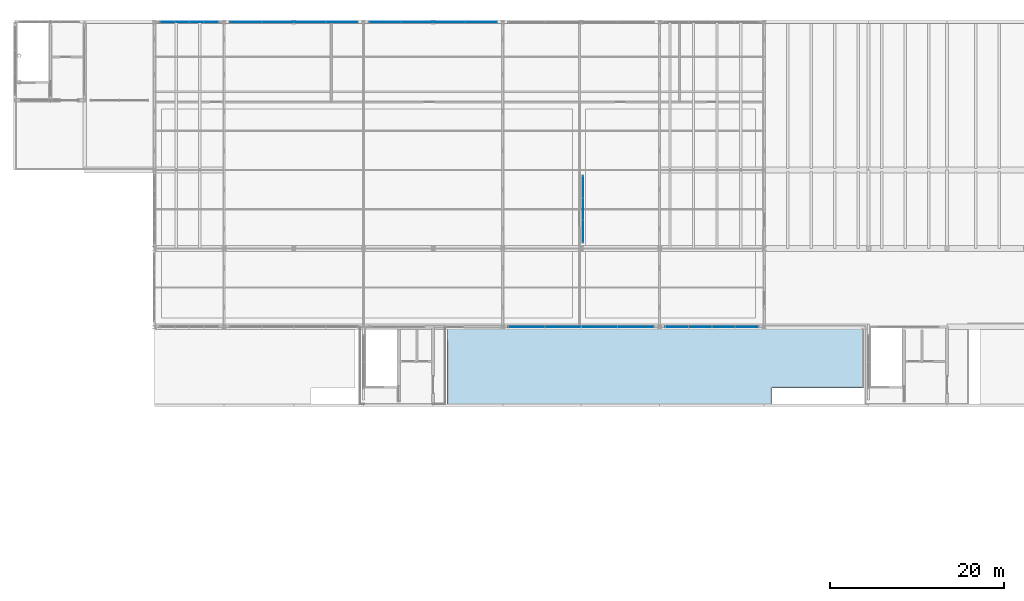
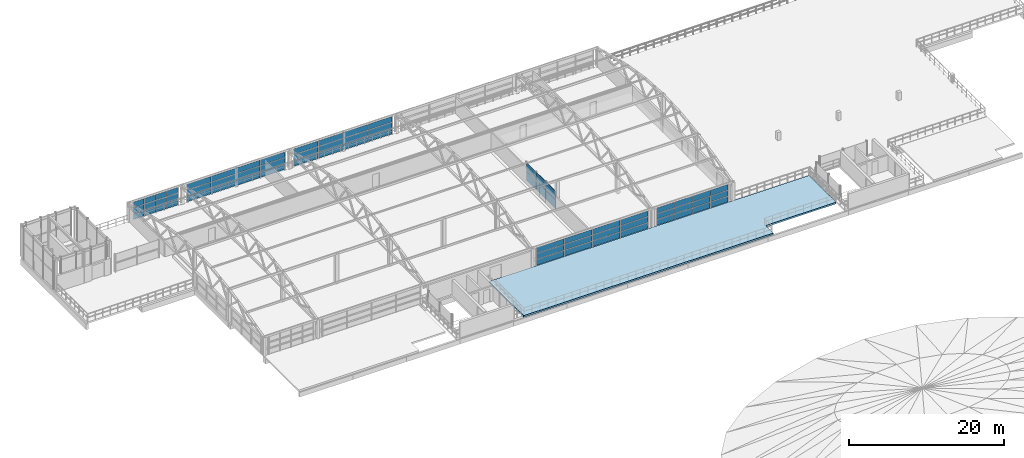
# One storey, part 28 of 50: 66 plates, 1 slab, 6 elements without a shape of their own.
"""IFC4 building model written with IfcOpenShell, lengths in metres."""

from ifc_helpers import new_model, si_unit, derived_unit, direction, frame, origin, origin_2d, place, context, subcontext, project, spatial, polyline, rectangle, outline, extrude, material, layer, layer_set, type_object, element, aggregate, save


model = new_model("IFC4")

# Units and contexts
model_context = context("Model", 3, precision=1e-05, world=origin(), true_north=direction((0.0, 1.0)))
body_context = subcontext(model_context, "Body", "Model", "MODEL_VIEW")
ifc_project = project(units=[si_unit("LENGTHUNIT", "METRE"), si_unit("AREAUNIT", "SQUARE_METRE"), si_unit("VOLUMEUNIT", "CUBIC_METRE"), si_unit("PLANEANGLEUNIT", "RADIAN"), si_unit("MASSUNIT", "GRAM", prefix="KILO"), si_unit("THERMODYNAMICTEMPERATUREUNIT", "KELVIN"), derived_unit("THERMALTRANSMITTANCEUNIT", [(si_unit("POWERUNIT", "WATT"), 1), (si_unit("AREAUNIT", "SQUARE_METRE"), -1), (si_unit("THERMODYNAMICTEMPERATUREUNIT", "KELVIN"), -1)])], contexts=[model_context])

# Site, building, storey
site_placement = place(None, origin())
site = spatial("IfcSite", under=ifc_project, at=site_placement, CompositionType="ELEMENT")
building_placement = place(site_placement, origin())
building = spatial("IfcBuilding", under=site, at=building_placement, Name="Haiyu Intermodal Mobility Hub", CompositionType="ELEMENT")
storey_placement = place(building_placement, frame((0.0, 0.0, 25.10009765625)))
storey = spatial("IfcBuildingStorey", under=building, at=storey_placement, Name="L06", CompositionType="ELEMENT", Elevation=25.10009765625)

# Curtain wall, plates
ifc_material_1 = material(Name="Low-e laminated insulating glass", Category="glass")
ifc_layer_1 = layer(ifc_material_1, 0.22998046875)
ifc_layer_set_1 = layer_set([ifc_layer_1], Name="Low-e laminated insulating glass")
curtain_wall_type_1 = type_object("IfcCurtainWallType", Name="CW-CW05", PredefinedType="NOTDEFINED", material=ifc_layer_set_1)
curtain_wall_1_placement = place(storey_placement, origin())
curtain_wall_1 = element("IfcCurtainWall", 1, at=curtain_wall_1_placement, inside=storey, type_object=curtain_wall_type_1, Name="Curtain Wall CW-V3N-156", PredefinedType="NOTDEFINED")
ifc_layer_2 = layer(ifc_material_1, 0.0400390625)
ifc_layer_set_2 = layer_set([ifc_layer_2], Name="Low-e laminated insulating glass")
plate_type_1 = type_object("IfcPlateType", Name="PLT-CP03", PredefinedType="CURTAIN_PANEL", material=ifc_layer_set_2)
plate_1_placement = place(storey_placement, frame((44.5048828125, 148.0, 0.034912109375), z_axis=(0.0, 0.0, 1.0), x_axis=(-1.0, 0.0, 0.0)))
plate_1 = element("IfcPlate", 2, at=plate_1_placement, type_object=plate_type_1, Name="CW-V3N-156-PN01", PredefinedType="CURTAIN_PANEL", context=body_context, shape_type="SweptSolid", body=[
    extrude(rectangle(XDim=1.580078125, YDim=0.0400390625, at=origin_2d()), origin(), (0.0, 0.0, 1.0), 0.8798828125),
])
plate_2_placement = place(storey_placement, frame((44.5048828125, 148.0, 0.98486328125), z_axis=(0.0, 0.0, 1.0), x_axis=(-1.0, 0.0, 0.0)))
plate_2 = element("IfcPlate", 3, at=plate_2_placement, type_object=plate_type_1, Name="CW-V3N-156-PN02", PredefinedType="CURTAIN_PANEL", context=body_context, shape_type="SweptSolid", body=[
    extrude(rectangle(XDim=1.580078125, YDim=0.0400390625, at=origin_2d()), origin(), (0.0, 0.0, 1.0), 0.8798828125),
])
plate_3_placement = place(storey_placement, frame((42.8349609375, 148.0, 0.034912109375), z_axis=(0.0, 0.0, 1.0), x_axis=(-1.0, 0.0, 0.0)))
plate_3 = element("IfcPlate", 4, at=plate_3_placement, type_object=plate_type_1, Name="CW-V3N-156-PN04", PredefinedType="CURTAIN_PANEL", context=body_context, shape_type="SweptSolid", body=[
    extrude(rectangle(XDim=1.580078125, YDim=0.0400390625, at=origin_2d()), origin(), (0.0, 0.0, 1.0), 0.8798828125),
])
plate_4_placement = place(storey_placement, frame((42.8349609375, 148.0, 0.98486328125), z_axis=(0.0, 0.0, 1.0), x_axis=(-1.0, 0.0, 0.0)))
plate_4 = element("IfcPlate", 5, at=plate_4_placement, type_object=plate_type_1, Name="CW-V3N-156-PN05", PredefinedType="CURTAIN_PANEL", context=body_context, shape_type="SweptSolid", body=[
    extrude(rectangle(XDim=1.580078125, YDim=0.0400390625, at=origin_2d()), origin(), (0.0, 0.0, 1.0), 0.8798828125),
])
plate_5_placement = place(storey_placement, frame((41.1650390625, 148.0, 0.034912109375), z_axis=(0.0, 0.0, 1.0), x_axis=(-1.0, 0.0, 0.0)))
plate_5 = element("IfcPlate", 6, at=plate_5_placement, type_object=plate_type_1, Name="CW-V3N-156-PN07", PredefinedType="CURTAIN_PANEL", context=body_context, shape_type="SweptSolid", body=[
    extrude(rectangle(XDim=1.580078125, YDim=0.0400390625, at=origin_2d()), origin(), (0.0, 0.0, 1.0), 0.8798828125),
])
plate_6_placement = place(storey_placement, frame((41.1650390625, 148.0, 0.98486328125), z_axis=(0.0, 0.0, 1.0), x_axis=(-1.0, 0.0, 0.0)))
plate_6 = element("IfcPlate", 7, at=plate_6_placement, type_object=plate_type_1, Name="CW-V3N-156-PN08", PredefinedType="CURTAIN_PANEL", context=body_context, shape_type="SweptSolid", body=[
    extrude(rectangle(XDim=1.580078125, YDim=0.0400390625, at=origin_2d()), origin(), (0.0, 0.0, 1.0), 0.8798828125),
])
plate_7_placement = place(storey_placement, frame((39.4951171875, 148.0, 0.034912109375), z_axis=(0.0, 0.0, 1.0), x_axis=(-1.0, 0.0, 0.0)))
plate_7 = element("IfcPlate", 8, at=plate_7_placement, type_object=plate_type_1, Name="CW-V3N-156-PN10", PredefinedType="CURTAIN_PANEL", context=body_context, shape_type="SweptSolid", body=[
    extrude(rectangle(XDim=1.580078125, YDim=0.0400390625, at=origin_2d()), origin(), (0.0, 0.0, 1.0), 0.8798828125),
])
plate_8_placement = place(storey_placement, frame((39.4951171875, 148.0, 0.98486328125), z_axis=(0.0, 0.0, 1.0), x_axis=(-1.0, 0.0, 0.0)))
plate_8 = element("IfcPlate", 9, at=plate_8_placement, type_object=plate_type_1, Name="CW-V3N-156-PN11", PredefinedType="CURTAIN_PANEL", context=body_context, shape_type="SweptSolid", body=[
    extrude(rectangle(XDim=1.580078125, YDim=0.0400390625, at=origin_2d()), origin(), (0.0, 0.0, 1.0), 0.8798828125),
])

curtain_wall_2_placement = place(storey_placement, origin())
curtain_wall_2 = element("IfcCurtainWall", 10, at=curtain_wall_2_placement, inside=storey, type_object=curtain_wall_type_1, Name="Curtain Wall CW-V3N-158", PredefinedType="NOTDEFINED")
plate_9_placement = place(storey_placement, frame((59.5048828125, 148.0, 0.034912109375), z_axis=(0.0, 0.0, 1.0), x_axis=(-1.0, 0.0, 0.0)))
plate_9 = element("IfcPlate", 11, at=plate_9_placement, type_object=plate_type_1, Name="CW-V3N-158-PN01", PredefinedType="CURTAIN_PANEL", context=body_context, shape_type="SweptSolid", body=[
    extrude(rectangle(XDim=3.580078125, YDim=0.0400390625, at=origin_2d()), origin(), (0.0, 0.0, 1.0), 0.8798828125),
])
plate_10_placement = place(storey_placement, frame((59.5048828125, 148.0, 0.98486328125), z_axis=(0.0, 0.0, 1.0), x_axis=(-1.0, 0.0, 0.0)))
plate_10 = element("IfcPlate", 12, at=plate_10_placement, type_object=plate_type_1, Name="CW-V3N-158-PN02", PredefinedType="CURTAIN_PANEL", context=body_context, shape_type="SweptSolid", body=[
    extrude(rectangle(XDim=3.580078125, YDim=0.0400390625, at=origin_2d()), origin(), (0.0, 0.0, 1.0), 0.8798828125),
])
plate_11_placement = place(storey_placement, frame((55.8349609375, 148.0, 0.034912109375), z_axis=(0.0, 0.0, 1.0), x_axis=(-1.0, 0.0, 0.0)))
plate_11 = element("IfcPlate", 13, at=plate_11_placement, type_object=plate_type_1, Name="CW-V3N-158-PN04", PredefinedType="CURTAIN_PANEL", context=body_context, shape_type="SweptSolid", body=[
    extrude(rectangle(XDim=3.580078125, YDim=0.0400390625, at=origin_2d()), origin(), (0.0, 0.0, 1.0), 0.8798828125),
])
plate_12_placement = place(storey_placement, frame((55.8349609375, 148.0, 0.98486328125), z_axis=(0.0, 0.0, 1.0), x_axis=(-1.0, 0.0, 0.0)))
plate_12 = element("IfcPlate", 14, at=plate_12_placement, type_object=plate_type_1, Name="CW-V3N-158-PN05", PredefinedType="CURTAIN_PANEL", context=body_context, shape_type="SweptSolid", body=[
    extrude(rectangle(XDim=3.580078125, YDim=0.0400390625, at=origin_2d()), origin(), (0.0, 0.0, 1.0), 0.8798828125),
])
plate_13_placement = place(storey_placement, frame((52.1650390625, 148.0, 0.034912109375), z_axis=(0.0, 0.0, 1.0), x_axis=(-1.0, 0.0, 0.0)))
plate_13 = element("IfcPlate", 15, at=plate_13_placement, type_object=plate_type_1, Name="CW-V3N-158-PN07", PredefinedType="CURTAIN_PANEL", context=body_context, shape_type="SweptSolid", body=[
    extrude(rectangle(XDim=3.580078125, YDim=0.0400390625, at=origin_2d()), origin(), (0.0, 0.0, 1.0), 0.8798828125),
])
plate_14_placement = place(storey_placement, frame((52.1650390625, 148.0, 0.98486328125), z_axis=(0.0, 0.0, 1.0), x_axis=(-1.0, 0.0, 0.0)))
plate_14 = element("IfcPlate", 16, at=plate_14_placement, type_object=plate_type_1, Name="CW-V3N-158-PN08", PredefinedType="CURTAIN_PANEL", context=body_context, shape_type="SweptSolid", body=[
    extrude(rectangle(XDim=3.580078125, YDim=0.0400390625, at=origin_2d()), origin(), (0.0, 0.0, 1.0), 0.8798828125),
])
plate_15_placement = place(storey_placement, frame((48.4951171875, 148.0, 0.034912109375), z_axis=(0.0, 0.0, 1.0), x_axis=(-1.0, 0.0, 0.0)))
plate_15 = element("IfcPlate", 17, at=plate_15_placement, type_object=plate_type_1, Name="CW-V3N-158-PN10", PredefinedType="CURTAIN_PANEL", context=body_context, shape_type="SweptSolid", body=[
    extrude(rectangle(XDim=3.580078125, YDim=0.0400390625, at=origin_2d()), origin(), (0.0, 0.0, 1.0), 0.8798828125),
])
plate_16_placement = place(storey_placement, frame((48.4951171875, 148.0, 0.98486328125), z_axis=(0.0, 0.0, 1.0), x_axis=(-1.0, 0.0, 0.0)))
plate_16 = element("IfcPlate", 18, at=plate_16_placement, type_object=plate_type_1, Name="CW-V3N-158-PN11", PredefinedType="CURTAIN_PANEL", context=body_context, shape_type="SweptSolid", body=[
    extrude(rectangle(XDim=3.580078125, YDim=0.0400390625, at=origin_2d()), origin(), (0.0, 0.0, 1.0), 0.8798828125),
])

curtain_wall_3_placement = place(storey_placement, origin())
curtain_wall_3 = element("IfcCurtainWall", 19, at=curtain_wall_3_placement, inside=storey, type_object=curtain_wall_type_1, Name="Curtain Wall CW-V3N-159", PredefinedType="NOTDEFINED")
plate_17_placement = place(storey_placement, frame((75.5048828125, 148.0, 0.034912109375), z_axis=(0.0, 0.0, 1.0), x_axis=(-1.0, 0.0, 0.0)))
plate_17 = element("IfcPlate", 20, at=plate_17_placement, type_object=plate_type_1, Name="CW-V3N-159-PN01", PredefinedType="CURTAIN_PANEL", context=body_context, shape_type="SweptSolid", body=[
    extrude(rectangle(XDim=3.580078125, YDim=0.0400390625, at=origin_2d()), origin(), (0.0, 0.0, 1.0), 0.8798828125),
])
plate_18_placement = place(storey_placement, frame((75.5048828125, 148.0, 0.98486328125), z_axis=(0.0, 0.0, 1.0), x_axis=(-1.0, 0.0, 0.0)))
plate_18 = element("IfcPlate", 21, at=plate_18_placement, type_object=plate_type_1, Name="CW-V3N-159-PN02", PredefinedType="CURTAIN_PANEL", context=body_context, shape_type="SweptSolid", body=[
    extrude(rectangle(XDim=3.580078125, YDim=0.0400390625, at=origin_2d()), origin(), (0.0, 0.0, 1.0), 0.8798828125),
])
plate_19_placement = place(storey_placement, frame((71.8349609375, 148.0, 0.034912109375), z_axis=(0.0, 0.0, 1.0), x_axis=(-1.0, 0.0, 0.0)))
plate_19 = element("IfcPlate", 22, at=plate_19_placement, type_object=plate_type_1, Name="CW-V3N-159-PN04", PredefinedType="CURTAIN_PANEL", context=body_context, shape_type="SweptSolid", body=[
    extrude(rectangle(XDim=3.580078125, YDim=0.0400390625, at=origin_2d()), origin(), (0.0, 0.0, 1.0), 0.8798828125),
])
plate_20_placement = place(storey_placement, frame((71.8349609375, 148.0, 0.98486328125), z_axis=(0.0, 0.0, 1.0), x_axis=(-1.0, 0.0, 0.0)))
plate_20 = element("IfcPlate", 23, at=plate_20_placement, type_object=plate_type_1, Name="CW-V3N-159-PN05", PredefinedType="CURTAIN_PANEL", context=body_context, shape_type="SweptSolid", body=[
    extrude(rectangle(XDim=3.580078125, YDim=0.0400390625, at=origin_2d()), origin(), (0.0, 0.0, 1.0), 0.8798828125),
])
plate_21_placement = place(storey_placement, frame((68.1650390625, 148.0, 0.034912109375), z_axis=(0.0, 0.0, 1.0), x_axis=(-1.0, 0.0, 0.0)))
plate_21 = element("IfcPlate", 24, at=plate_21_placement, type_object=plate_type_1, Name="CW-V3N-159-PN07", PredefinedType="CURTAIN_PANEL", context=body_context, shape_type="SweptSolid", body=[
    extrude(rectangle(XDim=3.580078125, YDim=0.0400390625, at=origin_2d()), origin(), (0.0, 0.0, 1.0), 0.8798828125),
])
plate_22_placement = place(storey_placement, frame((68.1650390625, 148.0, 0.98486328125), z_axis=(0.0, 0.0, 1.0), x_axis=(-1.0, 0.0, 0.0)))
plate_22 = element("IfcPlate", 25, at=plate_22_placement, type_object=plate_type_1, Name="CW-V3N-159-PN08", PredefinedType="CURTAIN_PANEL", context=body_context, shape_type="SweptSolid", body=[
    extrude(rectangle(XDim=3.580078125, YDim=0.0400390625, at=origin_2d()), origin(), (0.0, 0.0, 1.0), 0.8798828125),
])
plate_23_placement = place(storey_placement, frame((64.4951171875, 148.0, 0.034912109375), z_axis=(0.0, 0.0, 1.0), x_axis=(-1.0, 0.0, 0.0)))
plate_23 = element("IfcPlate", 26, at=plate_23_placement, type_object=plate_type_1, Name="CW-V3N-159-PN10", PredefinedType="CURTAIN_PANEL", context=body_context, shape_type="SweptSolid", body=[
    extrude(rectangle(XDim=3.580078125, YDim=0.0400390625, at=origin_2d()), origin(), (0.0, 0.0, 1.0), 0.8798828125),
])
plate_24_placement = place(storey_placement, frame((64.4951171875, 148.0, 0.98486328125), z_axis=(0.0, 0.0, 1.0), x_axis=(-1.0, 0.0, 0.0)))
plate_24 = element("IfcPlate", 27, at=plate_24_placement, type_object=plate_type_1, Name="CW-V3N-159-PN11", PredefinedType="CURTAIN_PANEL", context=body_context, shape_type="SweptSolid", body=[
    extrude(rectangle(XDim=3.580078125, YDim=0.0400390625, at=origin_2d()), origin(), (0.0, 0.0, 1.0), 0.8798828125),
])

curtain_wall_4_placement = place(storey_placement, origin())
curtain_wall_4 = element("IfcCurtainWall", 28, at=curtain_wall_4_placement, inside=storey, type_object=curtain_wall_type_1, Name="Curtain Wall CW-V3S-160", PredefinedType="NOTDEFINED")
plate_25_placement = place(storey_placement, frame((80.7451171875, 113.0, 0.034912109375), z_axis=(0.0, 0.0, 1.0), x_axis=(1.0, 0.0, 0.0)))
plate_25 = element("IfcPlate", 29, at=plate_25_placement, type_object=plate_type_1, Name="CW-V3S-160-PN01", PredefinedType="CURTAIN_PANEL", context=body_context, shape_type="SweptSolid", body=[
    extrude(rectangle(XDim=4.080078125, YDim=0.0400390625, at=origin_2d()), origin(), (0.0, 0.0, 1.0), 0.8798828125),
])
plate_26_placement = place(storey_placement, frame((80.7451171875, 113.0, 0.98486328125), z_axis=(0.0, 0.0, 1.0), x_axis=(1.0, 0.0, 0.0)))
plate_26 = element("IfcPlate", 30, at=plate_26_placement, type_object=plate_type_1, Name="CW-V3S-160-PN02", PredefinedType="CURTAIN_PANEL", context=body_context, shape_type="SweptSolid", body=[
    extrude(rectangle(XDim=4.080078125, YDim=0.0400390625, at=origin_2d()), origin(), (0.0, 0.0, 1.0), 0.8798828125),
])
plate_27_placement = place(storey_placement, frame((84.9150390625, 113.0, 0.034912109375), z_axis=(0.0, 0.0, 1.0), x_axis=(1.0, 0.0, 0.0)))
plate_27 = element("IfcPlate", 31, at=plate_27_placement, type_object=plate_type_1, Name="CW-V3S-160-PN04", PredefinedType="CURTAIN_PANEL", context=body_context, shape_type="SweptSolid", body=[
    extrude(rectangle(XDim=4.080078125, YDim=0.0400390625, at=origin_2d()), origin(), (0.0, 0.0, 1.0), 0.8798828125),
])
plate_28_placement = place(storey_placement, frame((84.9150390625, 113.0, 0.98486328125), z_axis=(0.0, 0.0, 1.0), x_axis=(1.0, 0.0, 0.0)))
plate_28 = element("IfcPlate", 32, at=plate_28_placement, type_object=plate_type_1, Name="CW-V3S-160-PN05", PredefinedType="CURTAIN_PANEL", context=body_context, shape_type="SweptSolid", body=[
    extrude(rectangle(XDim=4.080078125, YDim=0.0400390625, at=origin_2d()), origin(), (0.0, 0.0, 1.0), 0.8798828125),
])
plate_29_placement = place(storey_placement, frame((89.0849609375, 113.0, 0.034912109375), z_axis=(0.0, 0.0, 1.0), x_axis=(1.0, 0.0, 0.0)))
plate_29 = element("IfcPlate", 33, at=plate_29_placement, type_object=plate_type_1, Name="CW-V3S-160-PN07", PredefinedType="CURTAIN_PANEL", context=body_context, shape_type="SweptSolid", body=[
    extrude(rectangle(XDim=4.080078125, YDim=0.0400390625, at=origin_2d()), origin(), (0.0, 0.0, 1.0), 0.8798828125),
])
plate_30_placement = place(storey_placement, frame((89.0849609375, 113.0, 0.98486328125), z_axis=(0.0, 0.0, 1.0), x_axis=(1.0, 0.0, 0.0)))
plate_30 = element("IfcPlate", 34, at=plate_30_placement, type_object=plate_type_1, Name="CW-V3S-160-PN08", PredefinedType="CURTAIN_PANEL", context=body_context, shape_type="SweptSolid", body=[
    extrude(rectangle(XDim=4.080078125, YDim=0.0400390625, at=origin_2d()), origin(), (0.0, 0.0, 1.0), 0.8798828125),
])
plate_31_placement = place(storey_placement, frame((93.2548828125, 113.0, 0.034912109375), z_axis=(0.0, 0.0, 1.0), x_axis=(1.0, 0.0, 0.0)))
plate_31 = element("IfcPlate", 35, at=plate_31_placement, type_object=plate_type_1, Name="CW-V3S-160-PN10", PredefinedType="CURTAIN_PANEL", context=body_context, shape_type="SweptSolid", body=[
    extrude(rectangle(XDim=4.080078125, YDim=0.0400390625, at=origin_2d()), origin(), (0.0, 0.0, 1.0), 0.8798828125),
])
plate_32_placement = place(storey_placement, frame((93.2548828125, 113.0, 0.98486328125), z_axis=(0.0, 0.0, 1.0), x_axis=(1.0, 0.0, 0.0)))
plate_32 = element("IfcPlate", 36, at=plate_32_placement, type_object=plate_type_1, Name="CW-V3S-160-PN11", PredefinedType="CURTAIN_PANEL", context=body_context, shape_type="SweptSolid", body=[
    extrude(rectangle(XDim=4.080078125, YDim=0.0400390625, at=origin_2d()), origin(), (0.0, 0.0, 1.0), 0.8798828125),
])

curtain_wall_5_placement = place(storey_placement, origin())
curtain_wall_5 = element("IfcCurtainWall", 37, at=curtain_wall_5_placement, inside=storey, type_object=curtain_wall_type_1, Name="Curtain Wall CW-V3S-162", PredefinedType="NOTDEFINED")
plate_33_placement = place(storey_placement, frame((97.9951171875, 113.0, 0.034912109375), z_axis=(0.0, 0.0, 1.0), x_axis=(1.0, 0.0, 0.0)))
plate_33 = element("IfcPlate", 38, at=plate_33_placement, type_object=plate_type_1, Name="CW-V3S-162-PN01", PredefinedType="CURTAIN_PANEL", context=body_context, shape_type="SweptSolid", body=[
    extrude(rectangle(XDim=2.580078125, YDim=0.0400390625, at=origin_2d()), origin(), (0.0, 0.0, 1.0), 0.8798828125),
])
plate_34_placement = place(storey_placement, frame((97.9951171875, 113.0, 0.98486328125), z_axis=(0.0, 0.0, 1.0), x_axis=(1.0, 0.0, 0.0)))
plate_34 = element("IfcPlate", 39, at=plate_34_placement, type_object=plate_type_1, Name="CW-V3S-162-PN02", PredefinedType="CURTAIN_PANEL", context=body_context, shape_type="SweptSolid", body=[
    extrude(rectangle(XDim=2.580078125, YDim=0.0400390625, at=origin_2d()), origin(), (0.0, 0.0, 1.0), 0.8798828125),
])
plate_35_placement = place(storey_placement, frame((100.6650390625, 113.0, 0.034912109375), z_axis=(0.0, 0.0, 1.0), x_axis=(1.0, 0.0, 0.0)))
plate_35 = element("IfcPlate", 40, at=plate_35_placement, type_object=plate_type_1, Name="CW-V3S-162-PN04", PredefinedType="CURTAIN_PANEL", context=body_context, shape_type="SweptSolid", body=[
    extrude(rectangle(XDim=2.580078125, YDim=0.0400390625, at=origin_2d()), origin(), (0.0, 0.0, 1.0), 0.8798828125),
])
plate_36_placement = place(storey_placement, frame((100.6650390625, 113.0, 0.98486328125), z_axis=(0.0, 0.0, 1.0), x_axis=(1.0, 0.0, 0.0)))
plate_36 = element("IfcPlate", 41, at=plate_36_placement, type_object=plate_type_1, Name="CW-V3S-162-PN05", PredefinedType="CURTAIN_PANEL", context=body_context, shape_type="SweptSolid", body=[
    extrude(rectangle(XDim=2.580078125, YDim=0.0400390625, at=origin_2d()), origin(), (0.0, 0.0, 1.0), 0.8798828125),
])
plate_37_placement = place(storey_placement, frame((103.3349609375, 113.0, 0.034912109375), z_axis=(0.0, 0.0, 1.0), x_axis=(1.0, 0.0, 0.0)))
plate_37 = element("IfcPlate", 42, at=plate_37_placement, type_object=plate_type_1, Name="CW-V3S-162-PN07", PredefinedType="CURTAIN_PANEL", context=body_context, shape_type="SweptSolid", body=[
    extrude(rectangle(XDim=2.580078125, YDim=0.0400390625, at=origin_2d()), origin(), (0.0, 0.0, 1.0), 0.8798828125),
])
plate_38_placement = place(storey_placement, frame((103.3349609375, 113.0, 0.98486328125), z_axis=(0.0, 0.0, 1.0), x_axis=(1.0, 0.0, 0.0)))
plate_38 = element("IfcPlate", 43, at=plate_38_placement, type_object=plate_type_1, Name="CW-V3S-162-PN08", PredefinedType="CURTAIN_PANEL", context=body_context, shape_type="SweptSolid", body=[
    extrude(rectangle(XDim=2.580078125, YDim=0.0400390625, at=origin_2d()), origin(), (0.0, 0.0, 1.0), 0.8798828125),
])
plate_39_placement = place(storey_placement, frame((106.0048828125, 113.0, 0.034912109375), z_axis=(0.0, 0.0, 1.0), x_axis=(1.0, 0.0, 0.0)))
plate_39 = element("IfcPlate", 44, at=plate_39_placement, type_object=plate_type_1, Name="CW-V3S-162-PN10", PredefinedType="CURTAIN_PANEL", context=body_context, shape_type="SweptSolid", body=[
    extrude(rectangle(XDim=2.580078125, YDim=0.0400390625, at=origin_2d()), origin(), (0.0, 0.0, 1.0), 0.8798828125),
])
plate_40_placement = place(storey_placement, frame((106.0048828125, 113.0, 0.98486328125), z_axis=(0.0, 0.0, 1.0), x_axis=(1.0, 0.0, 0.0)))
plate_40 = element("IfcPlate", 45, at=plate_40_placement, type_object=plate_type_1, Name="CW-V3S-162-PN11", PredefinedType="CURTAIN_PANEL", context=body_context, shape_type="SweptSolid", body=[
    extrude(rectangle(XDim=2.580078125, YDim=0.0400390625, at=origin_2d()), origin(), (0.0, 0.0, 1.0), 0.8798828125),
])

ifc_layer_3 = layer(ifc_material_1, 0.179931640625)
ifc_layer_set_3 = layer_set([ifc_layer_3], Name="Low-e laminated insulating glass")
curtain_wall_type_2 = type_object("IfcCurtainWallType", Name="CW-CW06", PredefinedType="NOTDEFINED", material=ifc_layer_set_3)
curtain_wall_6_placement = place(storey_placement, origin())
curtain_wall_6 = element("IfcCurtainWall", 46, at=curtain_wall_6_placement, inside=storey, type_object=curtain_wall_type_2, Name="Curtain Wall CW-INT-08", PredefinedType="NOTDEFINED")
ifc_layer_4 = layer(ifc_material_1, 0.0400390625)
ifc_layer_set_4 = layer_set([ifc_layer_4], Name="Low-e laminated insulating glass")
plate_type_2 = type_object("IfcPlateType", Name="PLT-CP03-INT", PredefinedType="CURTAIN_PANEL", material=ifc_layer_set_4)
plate_41_placement = place(storey_placement, frame((87.199951171875, 123.9599609375, 0.034423828125), z_axis=(0.0, 0.0, 1.0), x_axis=(0.0, 1.0, 0.0)))
plate_41 = element("IfcPlate", 47, at=plate_41_placement, type_object=plate_type_2, Name="CW-INT-08-PN01", PredefinedType="CURTAIN_PANEL", context=body_context, shape_type="SweptSolid", body=[
    extrude(rectangle(XDim=2.449951171875, YDim=0.0400390625, at=origin_2d()), origin(), (0.0, 0.0, 1.0), 1.35498046875),
])
plate_42_placement = place(storey_placement, frame((87.199951171875, 123.9599609375, 1.45947265625), z_axis=(0.0, 0.0, 1.0), x_axis=(0.0, 1.0, 0.0)))
plate_42 = element("IfcPlate", 48, at=plate_42_placement, type_object=plate_type_2, Name="CW-INT-08-PN02", PredefinedType="CURTAIN_PANEL", context=body_context, shape_type="SweptSolid", body=[
    extrude(rectangle(XDim=2.449951171875, YDim=0.0400390625, at=origin_2d()), origin(), (0.0, 0.0, 1.0), 1.35498046875),
])
plate_43_placement = place(storey_placement, frame((87.199951171875, 126.5, 0.034423828125), z_axis=(0.0, 0.0, 1.0), x_axis=(0.0, 1.0, 0.0)))
plate_43 = element("IfcPlate", 49, at=plate_43_placement, type_object=plate_type_2, Name="CW-INT-08-PN03", PredefinedType="CURTAIN_PANEL", context=body_context, shape_type="SweptSolid", body=[
    extrude(rectangle(XDim=2.449951171875, YDim=0.0400390625, at=origin_2d()), origin(), (0.0, 0.0, 1.0), 1.35498046875),
])
plate_44_placement = place(storey_placement, frame((87.199951171875, 126.5, 1.45947265625), z_axis=(0.0, 0.0, 1.0), x_axis=(0.0, 1.0, 0.0)))
plate_44 = element("IfcPlate", 50, at=plate_44_placement, type_object=plate_type_2, Name="CW-INT-08-PN04", PredefinedType="CURTAIN_PANEL", context=body_context, shape_type="SweptSolid", body=[
    extrude(rectangle(XDim=2.449951171875, YDim=0.0400390625, at=origin_2d()), origin(), (0.0, 0.0, 1.0), 1.35498046875),
])
plate_45_placement = place(storey_placement, frame((87.199951171875, 129.0400390625, 0.034423828125), z_axis=(0.0, 0.0, 1.0), x_axis=(0.0, 1.0, 0.0)))
plate_45 = element("IfcPlate", 51, at=plate_45_placement, type_object=plate_type_2, Name="CW-INT-08-PN05", PredefinedType="CURTAIN_PANEL", context=body_context, shape_type="SweptSolid", body=[
    extrude(rectangle(XDim=2.449951171875, YDim=0.0400390625, at=origin_2d()), origin(), (0.0, 0.0, 1.0), 1.35498046875),
])
plate_46_placement = place(storey_placement, frame((87.199951171875, 129.0400390625, 1.45947265625), z_axis=(0.0, 0.0, 1.0), x_axis=(0.0, 1.0, 0.0)))
plate_46 = element("IfcPlate", 52, at=plate_46_placement, type_object=plate_type_2, Name="CW-INT-08-PN06", PredefinedType="CURTAIN_PANEL", context=body_context, shape_type="SweptSolid", body=[
    extrude(rectangle(XDim=2.449951171875, YDim=0.0400390625, at=origin_2d()), origin(), (0.0, 0.0, 1.0), 1.35498046875),
])
aggregate(curtain_wall_6, [plate_41, plate_42, plate_43, plate_44, plate_45, plate_46])

# Plate
ifc_layer_5 = layer(ifc_material_1, 0.0439453125)
ifc_layer_set_5 = layer_set([ifc_layer_5], Name="Low-e laminated insulating glass")
plate_type_3 = type_object("IfcPlateType", Name="PLT-CP04", PredefinedType="CURTAIN_PANEL", material=ifc_layer_set_5)
plate_47_placement = place(storey_placement, frame((44.5048828125, 148.0, 1.93505859375), z_axis=(0.0, 0.0, 1.0), x_axis=(-1.0, 0.0, 0.0)))
plate_47 = element("IfcPlate", 53, at=plate_47_placement, type_object=plate_type_3, Name="CW-V3N-156-PN03", PredefinedType="CURTAIN_PANEL", context=body_context, shape_type="SweptSolid", body=[
    extrude(rectangle(XDim=1.580078125, YDim=0.0439453125, at=origin_2d()), origin(), (0.0, 0.0, 1.0), 0.8798828125),
])

plate_48_placement = place(storey_placement, frame((42.8349609375, 148.0, 1.93505859375), z_axis=(0.0, 0.0, 1.0), x_axis=(-1.0, 0.0, 0.0)))
plate_48 = element("IfcPlate", 54, at=plate_48_placement, type_object=plate_type_3, Name="CW-V3N-156-PN06", PredefinedType="CURTAIN_PANEL", context=body_context, shape_type="SweptSolid", body=[
    extrude(rectangle(XDim=1.580078125, YDim=0.0439453125, at=origin_2d()), origin(), (0.0, 0.0, 1.0), 0.8798828125),
])

plate_49_placement = place(storey_placement, frame((41.1650390625, 148.0, 1.93505859375), z_axis=(0.0, 0.0, 1.0), x_axis=(-1.0, 0.0, 0.0)))
plate_49 = element("IfcPlate", 55, at=plate_49_placement, type_object=plate_type_3, Name="CW-V3N-156-PN09", PredefinedType="CURTAIN_PANEL", context=body_context, shape_type="SweptSolid", body=[
    extrude(rectangle(XDim=1.580078125, YDim=0.0439453125, at=origin_2d()), origin(), (0.0, 0.0, 1.0), 0.8798828125),
])

plate_50_placement = place(storey_placement, frame((39.4951171875, 148.0, 1.93505859375), z_axis=(0.0, 0.0, 1.0), x_axis=(-1.0, 0.0, 0.0)))
plate_50 = element("IfcPlate", 56, at=plate_50_placement, type_object=plate_type_3, Name="CW-V3N-156-PN12", PredefinedType="CURTAIN_PANEL", context=body_context, shape_type="SweptSolid", body=[
    extrude(rectangle(XDim=1.580078125, YDim=0.0439453125, at=origin_2d()), origin(), (0.0, 0.0, 1.0), 0.8798828125),
])

aggregate(curtain_wall_1, [plate_1, plate_2, plate_47, plate_3, plate_4, plate_48, plate_5, plate_6, plate_49, plate_7, plate_8, plate_50])

plate_51_placement = place(storey_placement, frame((59.5048828125, 148.0, 1.93505859375), z_axis=(0.0, 0.0, 1.0), x_axis=(-1.0, 0.0, 0.0)))
plate_51 = element("IfcPlate", 57, at=plate_51_placement, type_object=plate_type_3, Name="CW-V3N-158-PN03", PredefinedType="CURTAIN_PANEL", context=body_context, shape_type="SweptSolid", body=[
    extrude(rectangle(XDim=3.580078125, YDim=0.0439453125, at=origin_2d()), origin(), (0.0, 0.0, 1.0), 0.8798828125),
])

plate_52_placement = place(storey_placement, frame((55.8349609375, 148.0, 1.93505859375), z_axis=(0.0, 0.0, 1.0), x_axis=(-1.0, 0.0, 0.0)))
plate_52 = element("IfcPlate", 58, at=plate_52_placement, type_object=plate_type_3, Name="CW-V3N-158-PN06", PredefinedType="CURTAIN_PANEL", context=body_context, shape_type="SweptSolid", body=[
    extrude(rectangle(XDim=3.580078125, YDim=0.0439453125, at=origin_2d()), origin(), (0.0, 0.0, 1.0), 0.8798828125),
])

plate_53_placement = place(storey_placement, frame((52.1650390625, 148.0, 1.93505859375), z_axis=(0.0, 0.0, 1.0), x_axis=(-1.0, 0.0, 0.0)))
plate_53 = element("IfcPlate", 59, at=plate_53_placement, type_object=plate_type_3, Name="CW-V3N-158-PN09", PredefinedType="CURTAIN_PANEL", context=body_context, shape_type="SweptSolid", body=[
    extrude(rectangle(XDim=3.580078125, YDim=0.0439453125, at=origin_2d()), origin(), (0.0, 0.0, 1.0), 0.8798828125),
])

plate_54_placement = place(storey_placement, frame((48.4951171875, 148.0, 1.93505859375), z_axis=(0.0, 0.0, 1.0), x_axis=(-1.0, 0.0, 0.0)))
plate_54 = element("IfcPlate", 60, at=plate_54_placement, type_object=plate_type_3, Name="CW-V3N-158-PN12", PredefinedType="CURTAIN_PANEL", context=body_context, shape_type="SweptSolid", body=[
    extrude(rectangle(XDim=3.580078125, YDim=0.0439453125, at=origin_2d()), origin(), (0.0, 0.0, 1.0), 0.8798828125),
])

aggregate(curtain_wall_2, [plate_9, plate_10, plate_51, plate_11, plate_12, plate_52, plate_13, plate_14, plate_53, plate_15, plate_16, plate_54])

plate_55_placement = place(storey_placement, frame((75.5048828125, 148.0, 1.93505859375), z_axis=(0.0, 0.0, 1.0), x_axis=(-1.0, 0.0, 0.0)))
plate_55 = element("IfcPlate", 61, at=plate_55_placement, type_object=plate_type_3, Name="CW-V3N-159-PN03", PredefinedType="CURTAIN_PANEL", context=body_context, shape_type="SweptSolid", body=[
    extrude(rectangle(XDim=3.580078125, YDim=0.0439453125, at=origin_2d()), origin(), (0.0, 0.0, 1.0), 0.8798828125),
])

plate_56_placement = place(storey_placement, frame((71.8349609375, 148.0, 1.93505859375), z_axis=(0.0, 0.0, 1.0), x_axis=(-1.0, 0.0, 0.0)))
plate_56 = element("IfcPlate", 62, at=plate_56_placement, type_object=plate_type_3, Name="CW-V3N-159-PN06", PredefinedType="CURTAIN_PANEL", context=body_context, shape_type="SweptSolid", body=[
    extrude(rectangle(XDim=3.580078125, YDim=0.0439453125, at=origin_2d()), origin(), (0.0, 0.0, 1.0), 0.8798828125),
])

plate_57_placement = place(storey_placement, frame((68.1650390625, 148.0, 1.93505859375), z_axis=(0.0, 0.0, 1.0), x_axis=(-1.0, 0.0, 0.0)))
plate_57 = element("IfcPlate", 63, at=plate_57_placement, type_object=plate_type_3, Name="CW-V3N-159-PN09", PredefinedType="CURTAIN_PANEL", context=body_context, shape_type="SweptSolid", body=[
    extrude(rectangle(XDim=3.580078125, YDim=0.0439453125, at=origin_2d()), origin(), (0.0, 0.0, 1.0), 0.8798828125),
])

plate_58_placement = place(storey_placement, frame((64.4951171875, 148.0, 1.93505859375), z_axis=(0.0, 0.0, 1.0), x_axis=(-1.0, 0.0, 0.0)))
plate_58 = element("IfcPlate", 64, at=plate_58_placement, type_object=plate_type_3, Name="CW-V3N-159-PN12", PredefinedType="CURTAIN_PANEL", context=body_context, shape_type="SweptSolid", body=[
    extrude(rectangle(XDim=3.580078125, YDim=0.0439453125, at=origin_2d()), origin(), (0.0, 0.0, 1.0), 0.8798828125),
])

aggregate(curtain_wall_3, [plate_17, plate_18, plate_55, plate_19, plate_20, plate_56, plate_21, plate_22, plate_57, plate_23, plate_24, plate_58])

plate_59_placement = place(storey_placement, frame((80.7451171875, 113.0, 1.93505859375), z_axis=(0.0, 0.0, 1.0), x_axis=(1.0, 0.0, 0.0)))
plate_59 = element("IfcPlate", 65, at=plate_59_placement, type_object=plate_type_3, Name="CW-V3S-160-PN03", PredefinedType="CURTAIN_PANEL", context=body_context, shape_type="SweptSolid", body=[
    extrude(rectangle(XDim=4.080078125, YDim=0.0439453125, at=origin_2d()), origin(), (0.0, 0.0, 1.0), 0.8798828125),
])

plate_60_placement = place(storey_placement, frame((84.9150390625, 113.0, 1.93505859375), z_axis=(0.0, 0.0, 1.0), x_axis=(1.0, 0.0, 0.0)))
plate_60 = element("IfcPlate", 66, at=plate_60_placement, type_object=plate_type_3, Name="CW-V3S-160-PN06", PredefinedType="CURTAIN_PANEL", context=body_context, shape_type="SweptSolid", body=[
    extrude(rectangle(XDim=4.080078125, YDim=0.0439453125, at=origin_2d()), origin(), (0.0, 0.0, 1.0), 0.8798828125),
])

plate_61_placement = place(storey_placement, frame((89.0849609375, 113.0, 1.93505859375), z_axis=(0.0, 0.0, 1.0), x_axis=(1.0, 0.0, 0.0)))
plate_61 = element("IfcPlate", 67, at=plate_61_placement, type_object=plate_type_3, Name="CW-V3S-160-PN09", PredefinedType="CURTAIN_PANEL", context=body_context, shape_type="SweptSolid", body=[
    extrude(rectangle(XDim=4.080078125, YDim=0.0439453125, at=origin_2d()), origin(), (0.0, 0.0, 1.0), 0.8798828125),
])

plate_62_placement = place(storey_placement, frame((93.2548828125, 113.0, 1.93505859375), z_axis=(0.0, 0.0, 1.0), x_axis=(1.0, 0.0, 0.0)))
plate_62 = element("IfcPlate", 68, at=plate_62_placement, type_object=plate_type_3, Name="CW-V3S-160-PN12", PredefinedType="CURTAIN_PANEL", context=body_context, shape_type="SweptSolid", body=[
    extrude(rectangle(XDim=4.080078125, YDim=0.0439453125, at=origin_2d()), origin(), (0.0, 0.0, 1.0), 0.8798828125),
])

aggregate(curtain_wall_4, [plate_25, plate_26, plate_59, plate_27, plate_28, plate_60, plate_29, plate_30, plate_61, plate_31, plate_32, plate_62])

plate_63_placement = place(storey_placement, frame((97.9951171875, 113.0, 1.93505859375), z_axis=(0.0, 0.0, 1.0), x_axis=(1.0, 0.0, 0.0)))
plate_63 = element("IfcPlate", 69, at=plate_63_placement, type_object=plate_type_3, Name="CW-V3S-162-PN03", PredefinedType="CURTAIN_PANEL", context=body_context, shape_type="SweptSolid", body=[
    extrude(rectangle(XDim=2.580078125, YDim=0.0439453125, at=origin_2d()), origin(), (0.0, 0.0, 1.0), 0.8798828125),
])

plate_64_placement = place(storey_placement, frame((100.6650390625, 113.0, 1.93505859375), z_axis=(0.0, 0.0, 1.0), x_axis=(1.0, 0.0, 0.0)))
plate_64 = element("IfcPlate", 70, at=plate_64_placement, type_object=plate_type_3, Name="CW-V3S-162-PN06", PredefinedType="CURTAIN_PANEL", context=body_context, shape_type="SweptSolid", body=[
    extrude(rectangle(XDim=2.580078125, YDim=0.0439453125, at=origin_2d()), origin(), (0.0, 0.0, 1.0), 0.8798828125),
])

plate_65_placement = place(storey_placement, frame((103.3349609375, 113.0, 1.93505859375), z_axis=(0.0, 0.0, 1.0), x_axis=(1.0, 0.0, 0.0)))
plate_65 = element("IfcPlate", 71, at=plate_65_placement, type_object=plate_type_3, Name="CW-V3S-162-PN09", PredefinedType="CURTAIN_PANEL", context=body_context, shape_type="SweptSolid", body=[
    extrude(rectangle(XDim=2.580078125, YDim=0.0439453125, at=origin_2d()), origin(), (0.0, 0.0, 1.0), 0.8798828125),
])

plate_66_placement = place(storey_placement, frame((106.0048828125, 113.0, 1.93505859375), z_axis=(0.0, 0.0, 1.0), x_axis=(1.0, 0.0, 0.0)))
plate_66 = element("IfcPlate", 72, at=plate_66_placement, type_object=plate_type_3, Name="CW-V3S-162-PN12", PredefinedType="CURTAIN_PANEL", context=body_context, shape_type="SweptSolid", body=[
    extrude(rectangle(XDim=2.580078125, YDim=0.0439453125, at=origin_2d()), origin(), (0.0, 0.0, 1.0), 0.8798828125),
])

aggregate(curtain_wall_5, [plate_33, plate_34, plate_63, plate_35, plate_36, plate_64, plate_37, plate_38, plate_65, plate_39, plate_40, plate_66])

# Slab
ifc_material_2 = material(Name="Concrete C40", Category="concrete")
ifc_layer_6 = layer(ifc_material_2, 0.179931640625)
ifc_layer_set_6 = layer_set([ifc_layer_6], Name="Concrete C40")
slab_type = type_object("IfcSlabType", Name="SLB-SL12", PredefinedType="ROOF", material=ifc_layer_set_6)
slab_placement = place(storey_placement, frame((0.0, 0.0, -0.255126953125)))
element("IfcSlab", 73, at=slab_placement, inside=storey, type_object=slab_type, Name="SLB-L06-MRF", PredefinedType="ROOF", context=body_context, shape_type="SweptSolid", body=[
    extrude(outline(polyline([(71.60009765625, 104.02001953125), (108.884033203125, 104.02001953125), (108.884033203125, 105.987060546875), (119.39990234375, 105.987060546875), (119.39990234375, 112.9599609375), (71.60009765625, 112.9599609375), (71.60009765625, 104.02001953125)])), origin(), (0.0, 0.0, 1.0), 0.255126953125),
])

save(model, "model.ifc")
